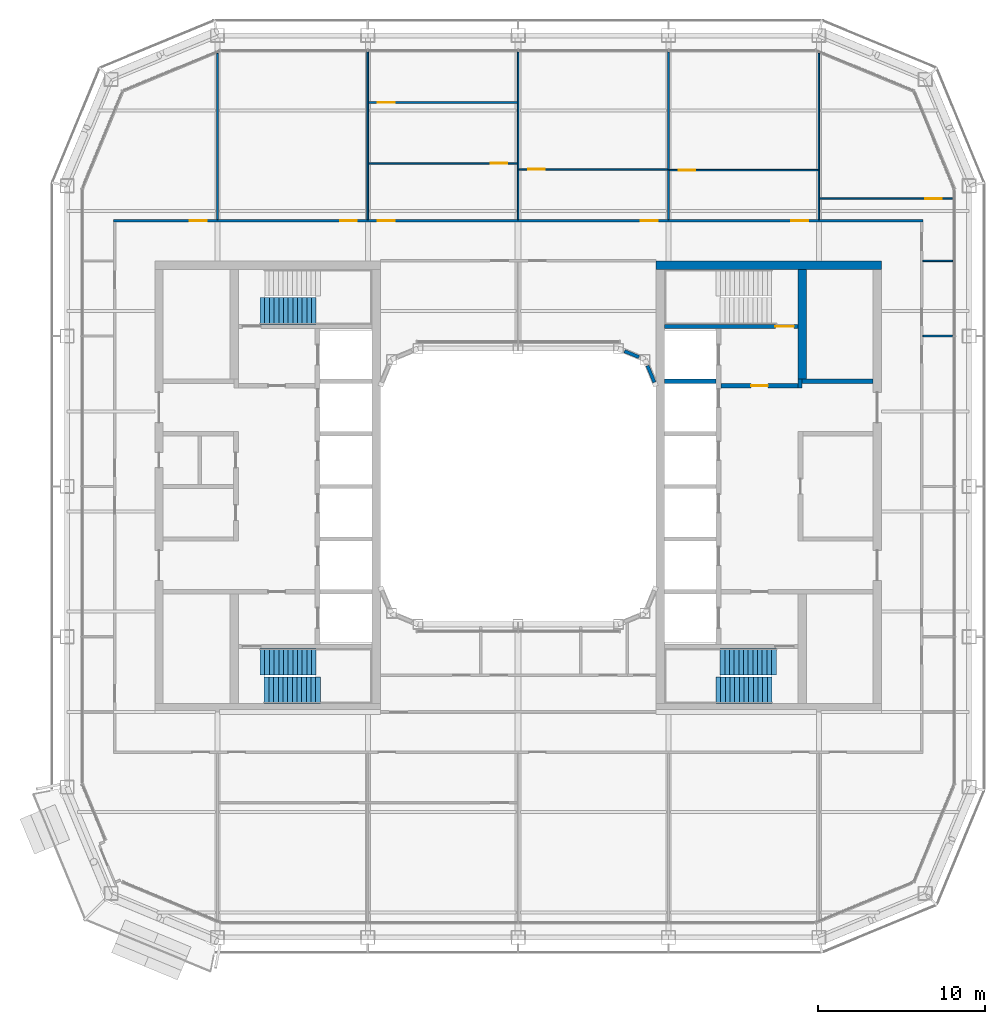
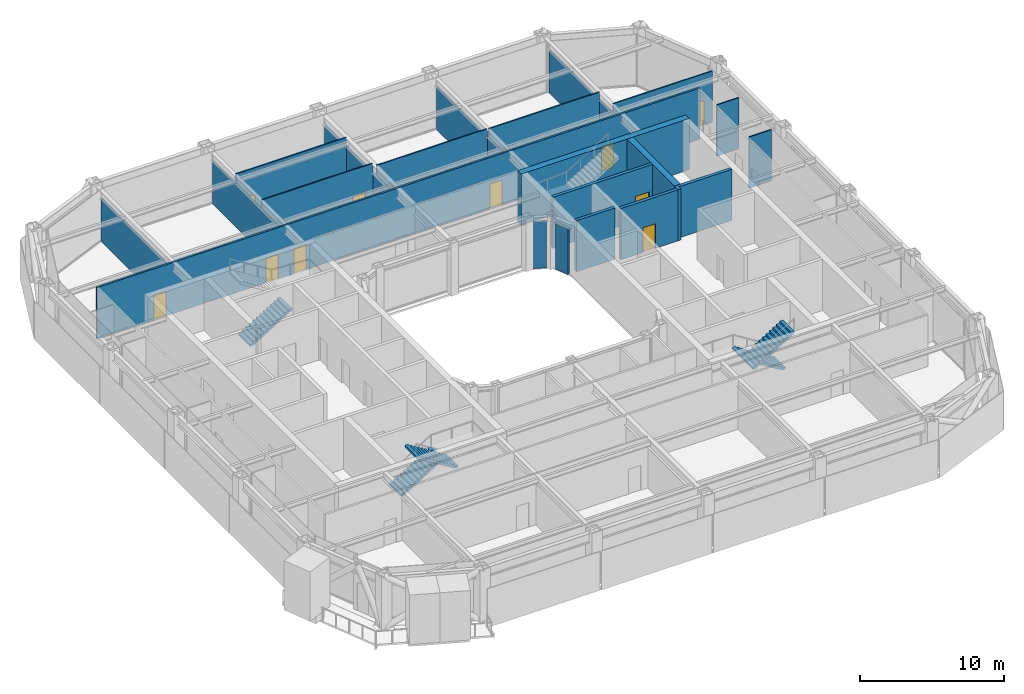
# One storey, part 16 of 24: 22 walls, 12 doors, 5 stair flights, 12 openings, 3 elements without a shape of their own.
"""IFC4 building model written with IfcOpenShell, lengths in metres."""

from ifc_helpers import new_model, si_unit, direction, frame, frame_2d, origin, place, context, subcontext, project, spatial, polyline, rectangle, outline, extrude, material, layer, layer_set, type_object, element, fill, aggregate, save


model = new_model("IFC4")

# Units and contexts
model_context = context("Model", 3, precision=1e-05, world=origin(), true_north=direction((0.0, 1.0)))
body_context = subcontext(model_context, "Body", "Model", "MODEL_VIEW")
ifc_project = project(units=[si_unit("LENGTHUNIT", "METRE"), si_unit("AREAUNIT", "SQUARE_METRE"), si_unit("VOLUMEUNIT", "CUBIC_METRE"), si_unit("PLANEANGLEUNIT", "RADIAN"), si_unit("MASSUNIT", "GRAM", prefix="KILO")], contexts=[model_context])

# Site, building, storey
site_placement = place(None, origin())
site = spatial("IfcSite", under=ifc_project, at=site_placement, CompositionType="ELEMENT")
building_placement = place(site_placement, origin())
building = spatial("IfcBuilding", under=site, at=building_placement, Name="Siwar Civic Tower", CompositionType="ELEMENT")
storey_placement = place(building_placement, frame((0.0, 0.0, 215.199951171875)))
storey = spatial("IfcBuildingStorey", under=building, at=storey_placement, Name="L46", CompositionType="ELEMENT", Elevation=215.199951171875)

# Wall, opening, door
ifc_material_1 = material(Name="Concrete C60/75", Category="concrete")
ifc_layer_1 = layer(ifc_material_1, 0.25)
ifc_layer_set_1 = layer_set([ifc_layer_1], Name="Concrete C60/75")
wall_type_1 = type_object("IfcWallType", Name="CORE-WALL-RC250", PredefinedType="SHEAR", material=ifc_layer_set_1)
wall_1_placement = place(storey_placement, frame((12.14990234375, 6.02490234375, 0.0), z_axis=(0.0, 0.0, 1.0), x_axis=(1.0, 0.0, 0.0)))
wall_1 = element("IfcWall", 1, at=wall_1_placement, inside=storey, type_object=wall_type_1, Name="Core wall E", PredefinedType="SHEAR", context=body_context, shape_type="SweptSolid", body=[
    extrude(rectangle(XDim=4.60009765625, YDim=0.25, at=frame_2d((2.300048828125, 0.0))), origin(), (0.0, 0.0, 1.0), 4.35009765625),
])
opening_1_placement = place(wall_1_placement, frame((1.800048828125, 0.0, 0.0)))
opening_1 = element("IfcOpeningElement", 2, at=opening_1_placement, cuts=wall_1, Name="Opening L46-CE01", PredefinedType="OPENING", context=body_context, shape_type="SweptSolid", body=[
    extrude(rectangle(XDim=1.0, YDim=2.10009765625, at=frame_2d((0.5, 1.050048828125))), frame((0.0, 0.135009765625, 0.0), z_axis=(0.0, -1.0, 0.0), x_axis=(1.0, 0.0, 0.0)), (0.0, 0.0, 1.0), 0.27001953125),
])
ifc_material_2 = material(Name="Steel door leaf", Category="steel")
door_type_1 = type_object("IfcDoorType", Name="CORE-DOOR-FD30S", OperationType="SINGLE_SWING_LEFT", PredefinedType="DOOR", material=ifc_material_2)
door_1_placement = place(opening_1_placement, origin())
door_1 = element("IfcDoor", 3, at=door_1_placement, inside=storey, type_object=door_type_1, Name="Firefighting lobby door L46-CE01", OperationType="SINGLE_SWING_RIGHT", OverallHeight=2.10009765625, OverallWidth=1.0, PredefinedType="DOOR", context=body_context, shape_type="SweptSolid", body=[
    extrude(rectangle(XDim=1.0, YDim=2.10009765625, at=frame_2d((0.5, 1.050048828125))), frame((0.0, 0.02490234375, 0.0), z_axis=(0.0, -1.0, 0.0), x_axis=(1.0, 0.0, 0.0)), (0.0, 0.0, 1.0), 0.050048828125),
])
fill(opening_1, door_1)

# Walls
wall_2_placement = place(storey_placement, frame((16.875, 5.89990234375, 0.0), z_axis=(0.0, 0.0, 1.0), x_axis=(0.0, 1.0, 0.0)))
element("IfcWall", 4, at=wall_2_placement, inside=storey, type_object=wall_type_1, Name="Core wall E", PredefinedType="SHEAR", context=body_context, shape_type="SweptSolid", body=[
    extrude(rectangle(XDim=0.525146484375, YDim=0.25, at=frame_2d((0.2626953125, 0.0))), origin(), (0.0, 0.0, 1.0), 4.35009765625),
])
wall_3_placement = place(storey_placement, frame((17.0, 6.300048828125, 0.0), z_axis=(0.0, 0.0, 1.0), x_axis=(1.0, 0.0, 0.0)))
element("IfcWall", 5, at=wall_3_placement, inside=storey, type_object=wall_type_1, Name="Core wall E", PredefinedType="SHEAR", context=body_context, shape_type="SweptSolid", body=[
    extrude(rectangle(XDim=4.25, YDim=0.25, at=frame_2d((2.125, 0.0))), origin(), (0.0, 0.0, 1.0), 4.35009765625),
])
wall_4_placement = place(storey_placement, frame((8.75, 6.300048828125, 0.0), z_axis=(0.0, 0.0, 1.0), x_axis=(1.0, 0.0, 0.0)))
element("IfcWall", 6, at=wall_4_placement, inside=storey, type_object=wall_type_1, Name="Core wall E", PredefinedType="SHEAR", context=body_context, shape_type="SweptSolid", body=[
    extrude(rectangle(XDim=3.10009765625, YDim=0.25, at=frame_2d((1.550048828125, 0.0))), origin(), (0.0, 0.0, 1.0), 4.35009765625),
])

# Wall, opening, door
wall_5_placement = place(storey_placement, frame((8.75, 9.574951171875, 0.0), z_axis=(0.0, 0.0, 1.0), x_axis=(1.0, 0.0, 0.0)))
wall_5 = element("IfcWall", 7, at=wall_5_placement, inside=storey, type_object=wall_type_1, Name="Core wall E", PredefinedType="SHEAR", context=body_context, shape_type="SweptSolid", body=[
    extrude(rectangle(XDim=8.0, YDim=0.25, at=frame_2d((4.0, 0.0))), origin(), (0.0, 0.0, 1.0), 4.35009765625),
])
opening_2_placement = place(wall_5_placement, frame((6.64990234375, 0.0, 0.0)))
opening_2 = element("IfcOpeningElement", 8, at=opening_2_placement, cuts=wall_5, Name="Opening L46-CE03", PredefinedType="OPENING", context=body_context, shape_type="SweptSolid", body=[
    extrude(rectangle(XDim=1.10009765625, YDim=2.10009765625, at=frame_2d((0.550048828125, 1.050048828125))), frame((0.0, 0.135009765625, 0.0), z_axis=(0.0, -1.0, 0.0), x_axis=(1.0, 0.0, 0.0)), (0.0, 0.0, 1.0), 0.27001953125),
])
ifc_material_3 = material(Name="Steel door leaf", Category="steel")
door_type_2 = type_object("IfcDoorType", Name="CORE-DOOR-FD60S", OperationType="SINGLE_SWING_LEFT", PredefinedType="DOOR", material=ifc_material_3)
door_2_placement = place(opening_2_placement, origin())
door_2 = element("IfcDoor", 9, at=door_2_placement, inside=storey, type_object=door_type_2, Name="Stair door L46-CE03", OperationType="SINGLE_SWING_LEFT", OverallHeight=2.10009765625, OverallWidth=1.10009765625, PredefinedType="DOOR", context=body_context, shape_type="SweptSolid", body=[
    extrude(rectangle(XDim=1.10009765625, YDim=2.10009765625, at=frame_2d((0.550048828125, 1.050048828125))), frame((0.0, 0.02490234375, 0.0), z_axis=(0.0, -1.0, 0.0), x_axis=(1.0, 0.0, 0.0)), (0.0, 0.0, 1.0), 0.050048828125),
])
fill(opening_2, door_2)

# Walls
ifc_material_4 = material(Name="Concrete C60/75", Category="concrete")
ifc_layer_2 = layer(ifc_material_4, 0.5)
ifc_layer_set_2 = layer_set([ifc_layer_2], Name="Concrete C60/75")
wall_type_2 = type_object("IfcWallType", Name="CORE-WALL-RC500", PredefinedType="SHEAR", material=ifc_layer_set_2)
wall_6_placement = place(storey_placement, frame((17.0, 6.425048828125, 0.0), z_axis=(0.0, 0.0, 1.0), x_axis=(0.0, 1.0, 0.0)))
element("IfcWall", 10, at=wall_6_placement, inside=storey, type_object=wall_type_2, Name="Core wall E", PredefinedType="SHEAR", context=body_context, shape_type="SweptSolid", body=[
    extrude(rectangle(XDim=6.574951171875, YDim=0.5, at=frame_2d((3.28759765625, 0.0))), origin(), (0.0, 0.0, 1.0), 4.35009765625),
])
wall_7_placement = place(storey_placement, frame((8.25, 13.25, 0.0), z_axis=(0.0, 0.0, 1.0), x_axis=(1.0, 0.0, 0.0)))
element("IfcWall", 11, at=wall_7_placement, inside=storey, type_object=wall_type_2, Name="Core wall E", PredefinedType="SHEAR", context=body_context, shape_type="SweptSolid", body=[
    extrude(rectangle(XDim=13.5, YDim=0.5, at=frame_2d((6.75, 0.0))), origin(), (0.0, 0.0, 1.0), 4.35009765625),
])

# Wall, openings, doors
ifc_material_5 = material(Name="Gypsum board on steel studs", Category="steel")
ifc_layer_3 = layer(ifc_material_5, 0.14990234375)
ifc_layer_set_3 = layer_set([ifc_layer_3], Name="Gypsum board on steel studs")
wall_type_3 = type_object("IfcWallType", Name="CORRIDOR PARTITION 150 EI 30", PredefinedType="PARTITIONING", material=ifc_layer_set_3)
wall_8_placement = place(storey_placement, frame((-24.22509765625, 15.89990234375, 0.0), z_axis=(0.0, 0.0, 1.0), x_axis=(1.0, 0.0, 0.0)))
wall_8 = element("IfcWall", 12, at=wall_8_placement, inside=storey, type_object=wall_type_3, Name="L46/wall/P17", PredefinedType="PARTITIONING", context=body_context, shape_type="SweptSolid", body=[
    extrude(rectangle(XDim=48.4501953125, YDim=0.14990234375, at=frame_2d((24.22509765625, 0.0))), origin(), (0.0, 0.0, 1.0), 4.35009765625),
])
opening_3_placement = place(wall_8_placement, frame((13.574951171875, 0.0, 0.0)))
opening_3 = element("IfcOpeningElement", 13, at=opening_3_placement, cuts=wall_8, Name="Opening D1", PredefinedType="OPENING", context=body_context, shape_type="SweptSolid", body=[
    extrude(rectangle(XDim=1.0, YDim=2.10009765625, at=frame_2d((0.5, 1.050048828125))), frame((0.0, 0.0849609375, 0.0), z_axis=(0.0, -1.0, 0.0), x_axis=(1.0, 0.0, 0.0)), (0.0, 0.0, 1.0), 0.169921875),
])
opening_4_placement = place(wall_8_placement, frame((15.824951171875, 0.0, 0.0)))
opening_4 = element("IfcOpeningElement", 14, at=opening_4_placement, cuts=wall_8, Name="Opening D1", PredefinedType="OPENING", context=body_context, shape_type="SweptSolid", body=[
    extrude(rectangle(XDim=1.0, YDim=2.10009765625, at=frame_2d((0.5, 1.050048828125))), frame((0.0, 0.0849609375, 0.0), z_axis=(0.0, -1.0, 0.0), x_axis=(1.0, 0.0, 0.0)), (0.0, 0.0, 1.0), 0.169921875),
])
opening_5_placement = place(wall_8_placement, frame((31.574951171875, 0.0, 0.0)))
opening_5 = element("IfcOpeningElement", 15, at=opening_5_placement, cuts=wall_8, Name="Opening D1", PredefinedType="OPENING", context=body_context, shape_type="SweptSolid", body=[
    extrude(rectangle(XDim=1.0, YDim=2.10009765625, at=frame_2d((0.5, 1.050048828125))), frame((0.0, 0.0849609375, 0.0), z_axis=(0.0, -1.0, 0.0), x_axis=(1.0, 0.0, 0.0)), (0.0, 0.0, 1.0), 0.169921875),
])
opening_6_placement = place(wall_8_placement, frame((40.574951171875, 0.0, 0.0)))
opening_6 = element("IfcOpeningElement", 16, at=opening_6_placement, cuts=wall_8, Name="Opening D1", PredefinedType="OPENING", context=body_context, shape_type="SweptSolid", body=[
    extrude(rectangle(XDim=1.0, YDim=2.10009765625, at=frame_2d((0.5, 1.050048828125))), frame((0.0, 0.0849609375, 0.0), z_axis=(0.0, -1.0, 0.0), x_axis=(1.0, 0.0, 0.0)), (0.0, 0.0, 1.0), 0.169921875),
])
opening_7_placement = place(wall_8_placement, frame((4.574951171875, 0.0, 0.0)))
opening_7 = element("IfcOpeningElement", 17, at=opening_7_placement, cuts=wall_8, Name="Opening D1", PredefinedType="OPENING", context=body_context, shape_type="SweptSolid", body=[
    extrude(rectangle(XDim=1.0, YDim=2.10009765625, at=frame_2d((0.5, 1.050048828125))), frame((0.0, 0.0849609375, 0.0), z_axis=(0.0, -1.0, 0.0), x_axis=(1.0, 0.0, 0.0)), (0.0, 0.0, 1.0), 0.169921875),
])
ifc_material_6 = material(Name="Timber, painted", Category="wood")
door_type_3 = type_object("IfcDoorType", Name="DOOR 1000 X 2100 FD30", OperationType="SINGLE_SWING_LEFT", PredefinedType="DOOR", material=ifc_material_6)
door_3_placement = place(opening_3_placement, origin())
door_3 = element("IfcDoor", 18, at=door_3_placement, inside=storey, type_object=door_type_3, Name="L46-D01", OperationType="SINGLE_SWING_LEFT", OverallHeight=2.10009765625, OverallWidth=1.0, PredefinedType="DOOR", context=body_context, shape_type="SweptSolid", body=[
    extrude(rectangle(XDim=1.0, YDim=2.10009765625, at=frame_2d((0.5, 1.050048828125))), frame((0.0, 0.02490234375, 0.0), z_axis=(0.0, -1.0, 0.0), x_axis=(1.0, 0.0, 0.0)), (0.0, 0.0, 1.0), 0.050048828125),
])
fill(opening_3, door_3)
door_4_placement = place(opening_4_placement, origin())
door_4 = element("IfcDoor", 19, at=door_4_placement, inside=storey, type_object=door_type_3, Name="L46-D02", OperationType="SINGLE_SWING_RIGHT", OverallHeight=2.10009765625, OverallWidth=1.0, PredefinedType="DOOR", context=body_context, shape_type="SweptSolid", body=[
    extrude(rectangle(XDim=1.0, YDim=2.10009765625, at=frame_2d((0.5, 1.050048828125))), frame((0.0, 0.02490234375, 0.0), z_axis=(0.0, -1.0, 0.0), x_axis=(1.0, 0.0, 0.0)), (0.0, 0.0, 1.0), 0.050048828125),
])
fill(opening_4, door_4)
door_5_placement = place(opening_5_placement, origin())
door_5 = element("IfcDoor", 20, at=door_5_placement, inside=storey, type_object=door_type_3, Name="L46-D05", OperationType="SINGLE_SWING_LEFT", OverallHeight=2.10009765625, OverallWidth=1.0, PredefinedType="DOOR", context=body_context, shape_type="SweptSolid", body=[
    extrude(rectangle(XDim=1.0, YDim=2.10009765625, at=frame_2d((0.5, 1.050048828125))), frame((0.0, 0.02490234375, 0.0), z_axis=(0.0, -1.0, 0.0), x_axis=(1.0, 0.0, 0.0)), (0.0, 0.0, 1.0), 0.050048828125),
])
fill(opening_5, door_5)
door_6_placement = place(opening_6_placement, origin())
door_6 = element("IfcDoor", 21, at=door_6_placement, inside=storey, type_object=door_type_3, Name="L46-D07", OperationType="SINGLE_SWING_LEFT", OverallHeight=2.10009765625, OverallWidth=1.0, PredefinedType="DOOR", context=body_context, shape_type="SweptSolid", body=[
    extrude(rectangle(XDim=1.0, YDim=2.10009765625, at=frame_2d((0.5, 1.050048828125))), frame((0.0, 0.02490234375, 0.0), z_axis=(0.0, -1.0, 0.0), x_axis=(1.0, 0.0, 0.0)), (0.0, 0.0, 1.0), 0.050048828125),
])
fill(opening_6, door_6)
door_7_placement = place(opening_7_placement, origin())
door_7 = element("IfcDoor", 22, at=door_7_placement, inside=storey, type_object=door_type_3, Name="L46-D15", OperationType="SINGLE_SWING_LEFT", OverallHeight=2.10009765625, OverallWidth=1.0, PredefinedType="DOOR", context=body_context, shape_type="SweptSolid", body=[
    extrude(rectangle(XDim=1.0, YDim=2.10009765625, at=frame_2d((0.5, 1.050048828125))), frame((0.0, 0.02490234375, 0.0), z_axis=(0.0, -1.0, 0.0), x_axis=(1.0, 0.0, 0.0)), (0.0, 0.0, 1.0), 0.050048828125),
])
fill(opening_7, door_7)

# Walls
ifc_material_7 = material(Name="Aluminium clad insulated panel", Category="aluminium")
ifc_layer_4 = layer(ifc_material_7, 0.199951171875)
ifc_layer_set_4 = layer_set([ifc_layer_4], Name="Aluminium clad insulated panel")
wall_type_4 = type_object("IfcWallType", Name="ENV-WALL-WELL", PredefinedType="STANDARD", material=ifc_layer_set_4)
wall_9_placement = place(storey_placement, frame((8.154296875, 6.23095703125, 0.0), z_axis=(0.0, 0.0, 1.0), x_axis=(-0.382704496366, 0.923870807235, 0.0)))
element("IfcWall", 23, at=wall_9_placement, inside=storey, type_object=wall_type_4, Name="Light well corner wall NE1", PredefinedType="STANDARD", context=body_context, shape_type="SweptSolid", body=[
    extrude(rectangle(XDim=1.080078125, YDim=0.199951171875, at=frame_2d((0.5400390625, 0.0))), origin(), (0.0, 0.0, 1.0), 3.91796875),
])
wall_10_placement = place(storey_placement, frame((7.228759765625, 7.740966796875, 0.0), z_axis=(0.0, 0.0, 1.0), x_axis=(-0.923829670615, 0.382803787458, 0.0)))
element("IfcWall", 24, at=wall_10_placement, inside=storey, type_object=wall_type_4, Name="Light well corner wall NE2", PredefinedType="STANDARD", context=body_context, shape_type="SweptSolid", body=[
    extrude(rectangle(XDim=0.938232421875, YDim=0.199951171875, at=frame_2d((0.46923828125, 0.0))), origin(), (0.0, 0.0, 1.0), 3.91796875),
])
ifc_material_8 = material(Name="Gypsum board on steel studs", Category="steel")
ifc_layer_5 = layer(ifc_material_8, 0.10009765625)
ifc_layer_set_5 = layer_set([ifc_layer_5], Name="Gypsum board on steel studs")
wall_type_5 = type_object("IfcWallType", Name="PARTITION 100 GYPSUM", PredefinedType="PARTITIONING", material=ifc_layer_set_5)
for number, where, z_axis, x_axis, name in (
    (25, (24.22509765625, 9.0, 0.0), (0.0, 0.0, 1.0), (1.0, 0.0, 0.0), "L46/wall/P13"),
    (26, (24.22509765625, 13.5, 0.0), (0.0, 0.0, 1.0), (1.0, 0.0, 0.0), "L46/wall/P15"),
):
    element("IfcWall", number, at=place(storey_placement, frame(where, z_axis=z_axis, x_axis=x_axis)), inside=storey, type_object=wall_type_5, Name=name, PredefinedType="PARTITIONING", context=body_context, shape_type="SweptSolid", body=[
        extrude(rectangle(XDim=1.784912109375, YDim=0.10009765625, at=frame_2d((0.892578125, 0.0))), origin(), (0.0, 0.0, 1.0), 4.35009765625),
    ])

# Wall, opening, door
wall_11_placement = place(storey_placement, frame((18.050048828125, 17.22802734375, 0.0), z_axis=(0.0, 0.0, 1.0), x_axis=(1.0, 0.0, 0.0)))
wall_11 = element("IfcWall", 27, at=wall_11_placement, inside=storey, type_object=wall_type_5, Name="L46/wall/P18", PredefinedType="PARTITIONING", context=body_context, shape_type="SweptSolid", body=[
    extrude(rectangle(XDim=7.9599609375, YDim=0.10009765625, at=frame_2d((3.97998046875, 0.0))), origin(), (0.0, 0.0, 1.0), 4.35009765625),
])
opening_8_placement = place(wall_11_placement, frame((6.31005859375, 0.0, 0.0)))
opening_8 = element("IfcOpeningElement", 28, at=opening_8_placement, cuts=wall_11, Name="Opening D2", PredefinedType="OPENING", context=body_context, shape_type="SweptSolid", body=[
    extrude(rectangle(XDim=1.0, YDim=2.10009765625, at=frame_2d((0.5, 1.050048828125))), frame((0.0, 0.06005859375, 0.0), z_axis=(0.0, -1.0, 0.0), x_axis=(1.0, 0.0, 0.0)), (0.0, 0.0, 1.0), 0.1201171875),
])
ifc_material_9 = material(Name="Timber, painted", Category="wood")
door_type_4 = type_object("IfcDoorType", Name="DOOR 1000 X 2100", OperationType="SINGLE_SWING_LEFT", PredefinedType="DOOR", material=ifc_material_9)
door_8_placement = place(opening_8_placement, origin())
door_8 = element("IfcDoor", 29, at=door_8_placement, inside=storey, type_object=door_type_4, Name="L46-D17", OperationType="SINGLE_SWING_LEFT", OverallHeight=2.10009765625, OverallWidth=1.0, PredefinedType="DOOR", context=body_context, shape_type="SweptSolid", body=[
    extrude(rectangle(XDim=1.0, YDim=2.10009765625, at=frame_2d((0.5, 1.050048828125))), frame((0.0, 0.02490234375, 0.0), z_axis=(0.0, -1.0, 0.0), x_axis=(1.0, 0.0, 0.0)), (0.0, 0.0, 1.0), 0.050048828125),
])
fill(opening_8, door_8)

wall_12_placement = place(storey_placement, frame((9.050048828125, 18.93310546875, 0.0), z_axis=(0.0, 0.0, 1.0), x_axis=(1.0, 0.0, 0.0)))
wall_12 = element("IfcWall", 30, at=wall_12_placement, inside=storey, type_object=wall_type_5, Name="L46/wall/P19", PredefinedType="PARTITIONING", context=body_context, shape_type="SweptSolid", body=[
    extrude(rectangle(XDim=8.89990234375, YDim=0.10009765625, at=frame_2d((4.449951171875, 0.0))), origin(), (0.0, 0.0, 1.0), 4.35009765625),
])
opening_9_placement = place(wall_12_placement, frame((0.550048828125, 0.0, 0.0)))
opening_9 = element("IfcOpeningElement", 31, at=opening_9_placement, cuts=wall_12, Name="Opening D2", PredefinedType="OPENING", context=body_context, shape_type="SweptSolid", body=[
    extrude(rectangle(XDim=1.0, YDim=2.10009765625, at=frame_2d((0.5, 1.050048828125))), frame((0.0, 0.06005859375, 0.0), z_axis=(0.0, -1.0, 0.0), x_axis=(1.0, 0.0, 0.0)), (0.0, 0.0, 1.0), 0.1201171875),
])
door_9_placement = place(opening_9_placement, origin())
door_9 = element("IfcDoor", 32, at=door_9_placement, inside=storey, type_object=door_type_4, Name="L46-D08", OperationType="SINGLE_SWING_RIGHT", OverallHeight=2.10009765625, OverallWidth=1.0, PredefinedType="DOOR", context=body_context, shape_type="SweptSolid", body=[
    extrude(rectangle(XDim=1.0, YDim=2.10009765625, at=frame_2d((0.5, 1.050048828125))), frame((0.0, 0.02490234375, 0.0), z_axis=(0.0, -1.0, 0.0), x_axis=(1.0, 0.0, 0.0)), (0.0, 0.0, 1.0), 0.050048828125),
])
fill(opening_9, door_9)

wall_13_placement = place(storey_placement, frame((0.050048828125, 18.97998046875, 0.0), z_axis=(0.0, 0.0, 1.0), x_axis=(1.0, 0.0, 0.0)))
wall_13 = element("IfcWall", 33, at=wall_13_placement, inside=storey, type_object=wall_type_5, Name="L46/wall/P20", PredefinedType="PARTITIONING", context=body_context, shape_type="SweptSolid", body=[
    extrude(rectangle(XDim=8.89990234375, YDim=0.10009765625, at=frame_2d((4.449951171875, 0.0))), origin(), (0.0, 0.0, 1.0), 4.35009765625),
])
opening_10_placement = place(wall_13_placement, frame((0.550048828125, 0.0, 0.0)))
opening_10 = element("IfcOpeningElement", 34, at=opening_10_placement, cuts=wall_13, Name="Opening D2", PredefinedType="OPENING", context=body_context, shape_type="SweptSolid", body=[
    extrude(rectangle(XDim=1.0, YDim=2.10009765625, at=frame_2d((0.5, 1.050048828125))), frame((0.0, 0.06005859375, 0.0), z_axis=(0.0, -1.0, 0.0), x_axis=(1.0, 0.0, 0.0)), (0.0, 0.0, 1.0), 0.1201171875),
])
door_10_placement = place(opening_10_placement, origin())
door_10 = element("IfcDoor", 35, at=door_10_placement, inside=storey, type_object=door_type_4, Name="L46-D06", OperationType="SINGLE_SWING_RIGHT", OverallHeight=2.10009765625, OverallWidth=1.0, PredefinedType="DOOR", context=body_context, shape_type="SweptSolid", body=[
    extrude(rectangle(XDim=1.0, YDim=2.10009765625, at=frame_2d((0.5, 1.050048828125))), frame((0.0, 0.02490234375, 0.0), z_axis=(0.0, -1.0, 0.0), x_axis=(1.0, 0.0, 0.0)), (0.0, 0.0, 1.0), 0.050048828125),
])
fill(opening_10, door_10)

wall_14_placement = place(storey_placement, frame((-8.949951171875, 19.3369140625, 0.0), z_axis=(0.0, 0.0, 1.0), x_axis=(1.0, 0.0, 0.0)))
wall_14 = element("IfcWall", 36, at=wall_14_placement, inside=storey, type_object=wall_type_5, Name="L46/wall/P21", PredefinedType="PARTITIONING", context=body_context, shape_type="SweptSolid", body=[
    extrude(rectangle(XDim=8.89990234375, YDim=0.10009765625, at=frame_2d((4.449951171875, 0.0))), origin(), (0.0, 0.0, 1.0), 4.35009765625),
])
opening_11_placement = place(wall_14_placement, frame((7.300048828125, 0.0, 0.0)))
opening_11 = element("IfcOpeningElement", 37, at=opening_11_placement, cuts=wall_14, Name="Opening D2", PredefinedType="OPENING", context=body_context, shape_type="SweptSolid", body=[
    extrude(rectangle(XDim=1.0, YDim=2.10009765625, at=frame_2d((0.5, 1.050048828125))), frame((0.0, 0.06005859375, 0.0), z_axis=(0.0, -1.0, 0.0), x_axis=(1.0, 0.0, 0.0)), (0.0, 0.0, 1.0), 0.1201171875),
])
door_11_placement = place(opening_11_placement, origin())
door_11 = element("IfcDoor", 38, at=door_11_placement, inside=storey, type_object=door_type_4, Name="L46-D03", OperationType="SINGLE_SWING_LEFT", OverallHeight=2.10009765625, OverallWidth=1.0, PredefinedType="DOOR", context=body_context, shape_type="SweptSolid", body=[
    extrude(rectangle(XDim=1.0, YDim=2.10009765625, at=frame_2d((0.5, 1.050048828125))), frame((0.0, 0.02490234375, 0.0), z_axis=(0.0, -1.0, 0.0), x_axis=(1.0, 0.0, 0.0)), (0.0, 0.0, 1.0), 0.050048828125),
])
fill(opening_11, door_11)

wall_15_placement = place(storey_placement, frame((-8.949951171875, 22.97705078125, 0.0), z_axis=(0.0, 0.0, 1.0), x_axis=(1.0, 0.0, 0.0)))
wall_15 = element("IfcWall", 39, at=wall_15_placement, inside=storey, type_object=wall_type_5, Name="L46/wall/P22", PredefinedType="PARTITIONING", context=body_context, shape_type="SweptSolid", body=[
    extrude(rectangle(XDim=8.89990234375, YDim=0.10009765625, at=frame_2d((4.449951171875, 0.0))), origin(), (0.0, 0.0, 1.0), 4.35009765625),
])
opening_12_placement = place(wall_15_placement, frame((0.550048828125, 0.0, 0.0)))
opening_12 = element("IfcOpeningElement", 40, at=opening_12_placement, cuts=wall_15, Name="Opening D2", PredefinedType="OPENING", context=body_context, shape_type="SweptSolid", body=[
    extrude(rectangle(XDim=1.0, YDim=2.10009765625, at=frame_2d((0.5, 1.050048828125))), frame((0.0, 0.06005859375, 0.0), z_axis=(0.0, -1.0, 0.0), x_axis=(1.0, 0.0, 0.0)), (0.0, 0.0, 1.0), 0.1201171875),
])
door_12_placement = place(opening_12_placement, origin())
door_12 = element("IfcDoor", 41, at=door_12_placement, inside=storey, type_object=door_type_4, Name="L46-D04", OperationType="SINGLE_SWING_RIGHT", OverallHeight=2.10009765625, OverallWidth=1.0, PredefinedType="DOOR", context=body_context, shape_type="SweptSolid", body=[
    extrude(rectangle(XDim=1.0, YDim=2.10009765625, at=frame_2d((0.5, 1.050048828125))), frame((0.0, 0.02490234375, 0.0), z_axis=(0.0, -1.0, 0.0), x_axis=(1.0, 0.0, 0.0)), (0.0, 0.0, 1.0), 0.050048828125),
])
fill(opening_12, door_12)

# Walls
wall_16_placement = place(storey_placement, frame((-18.0, 15.97509765625, 0.0), z_axis=(0.0, 0.0, 1.0), x_axis=(0.0, 1.0, 0.0)))
element("IfcWall", 42, at=wall_16_placement, inside=storey, type_object=wall_type_5, Name="L46/wall/P25", PredefinedType="PARTITIONING", context=body_context, shape_type="SweptSolid", body=[
    extrude(rectangle(XDim=9.952880859375, YDim=0.10009765625, at=frame_2d((4.9765625, 0.0))), origin(), (0.0, 0.0, 1.0), 3.650146484375),
])
wall_17_placement = place(storey_placement, frame((-9.0, 15.97509765625, 0.0), z_axis=(0.0, 0.0, 1.0), x_axis=(0.0, 1.0, 0.0)))
element("IfcWall", 43, at=wall_17_placement, inside=storey, type_object=wall_type_5, Name="L46/wall/P28", PredefinedType="PARTITIONING", context=body_context, shape_type="SweptSolid", body=[
    extrude(rectangle(XDim=10.034912109375, YDim=0.10009765625, at=frame_2d((5.017578125, 0.0))), origin(), (0.0, 0.0, 1.0), 3.650146484375),
])
wall_18_placement = place(storey_placement, frame((0.0, 15.97509765625, 0.0), z_axis=(0.0, 0.0, 1.0), x_axis=(0.0, 1.0, 0.0)))
element("IfcWall", 44, at=wall_18_placement, inside=storey, type_object=wall_type_5, Name="L46/wall/P32", PredefinedType="PARTITIONING", context=body_context, shape_type="SweptSolid", body=[
    extrude(rectangle(XDim=10.034912109375, YDim=0.10009765625, at=frame_2d((5.017578125, 0.0))), origin(), (0.0, 0.0, 1.0), 3.550048828125),
])
wall_19_placement = place(storey_placement, frame((9.0, 15.97509765625, 0.0), z_axis=(0.0, 0.0, 1.0), x_axis=(0.0, 1.0, 0.0)))
element("IfcWall", 45, at=wall_19_placement, inside=storey, type_object=wall_type_5, Name="L46/wall/P36", PredefinedType="PARTITIONING", context=body_context, shape_type="SweptSolid", body=[
    extrude(rectangle(XDim=10.034912109375, YDim=0.10009765625, at=frame_2d((5.017578125, 0.0))), origin(), (0.0, 0.0, 1.0), 3.650146484375),
])
wall_20_placement = place(storey_placement, frame((18.0, 15.97509765625, 0.0), z_axis=(0.0, 0.0, 1.0), x_axis=(0.0, 1.0, 0.0)))
element("IfcWall", 46, at=wall_20_placement, inside=storey, type_object=wall_type_5, Name="L46/wall/P38", PredefinedType="PARTITIONING", context=body_context, shape_type="SweptSolid", body=[
    extrude(rectangle(XDim=9.952880859375, YDim=0.10009765625, at=frame_2d((4.9765625, 0.0))), origin(), (0.0, 0.0, 1.0), 3.650146484375),
])

# Stair, stair flight
ifc_material_10 = material(Name="Concrete C40/50", Category="concrete")
stair_type = type_object("IfcStairType", Name="CORE-STAIR", PredefinedType="TWO_STRAIGHT_RUN_STAIR", material=ifc_material_10)
stair_1_placement = place(storey_placement, origin())
stair_1 = element("IfcStair", 47, at=stair_1_placement, inside=storey, type_object=stair_type, Name="Exit stair ST1", PredefinedType="TWO_STRAIGHT_RUN_STAIR")
ifc_material_11 = material(Name="Concrete C40/50", Category="concrete")
stair_flight_type = type_object("IfcStairFlightType", Name="CORE-STAIR-FLIGHT", PredefinedType="STRAIGHT", material=ifc_material_11)
stair_flight_1_placement = place(storey_placement, frame((-15.449951171875, 10.5, 0.0), z_axis=(0.0, 0.0, 1.0), x_axis=(1.0, 0.0, 0.0)))
stair_flight_1 = element("IfcStairFlight", 48, at=stair_flight_1_placement, type_object=stair_flight_type, Name="ST1 flight 1", NumberOfRisers=13, NumberOfTreads=12, PredefinedType="STRAIGHT", RiserHeight=0.173076923, TreadLength=0.28, context=body_context, shape_type="SweptSolid", body=[
    extrude(outline(polyline([(0.0, 0.0), (0.0, 0.173095703125), (0.280029296875, 0.173095703125), (0.280029296875, 0.34619140625), (0.56005859375, 0.34619140625), (0.56005859375, 0.519287109375), (0.840087890625, 0.519287109375), (0.840087890625, 0.6923828125), (1.1201171875, 0.6923828125), (1.1201171875, 0.865478515625), (1.39990234375, 0.865478515625), (1.39990234375, 1.03857421875), (1.679931640625, 1.03857421875), (1.679931640625, 1.21142578125), (1.9599609375, 1.21142578125), (1.9599609375, 1.384521484375), (2.239990234375, 1.384521484375), (2.239990234375, 1.5576171875), (2.52001953125, 1.5576171875), (2.52001953125, 1.730712890625), (2.800048828125, 1.730712890625), (2.800048828125, 1.90380859375), (3.080078125, 1.90380859375), (3.080078125, 2.076904296875), (3.360107421875, 2.076904296875), (3.360107421875, 2.25), (3.360107421875, 1.900634765625), (0.28515625, 0.0), (0.0, 0.0)])), frame((0.0, 0.800048828125, 0.0), z_axis=(0.0, -1.0, 0.0), x_axis=(1.0, 0.0, 0.0)), (0.0, 0.0, 1.0), 1.60009765625),
])
aggregate(stair_1, [stair_flight_1])

# Stair, stair flights
stair_2_placement = place(storey_placement, origin())
stair_2 = element("IfcStair", 49, at=stair_2_placement, inside=storey, type_object=stair_type, Name="Exit stair ST2", PredefinedType="TWO_STRAIGHT_RUN_STAIR")
stair_flight_2_placement = place(storey_placement, frame((-15.449951171875, -10.5, 0.0), z_axis=(0.0, 0.0, 1.0), x_axis=(1.0, 0.0, 0.0)))
stair_flight_2 = element("IfcStairFlight", 50, at=stair_flight_2_placement, type_object=stair_flight_type, Name="ST2 flight 1", NumberOfRisers=13, NumberOfTreads=12, PredefinedType="STRAIGHT", RiserHeight=0.173076923, TreadLength=0.28, context=body_context, shape_type="SweptSolid", body=[
    extrude(outline(polyline([(0.0, 0.0), (0.0, 0.173095703125), (0.280029296875, 0.173095703125), (0.280029296875, 0.34619140625), (0.56005859375, 0.34619140625), (0.56005859375, 0.519287109375), (0.840087890625, 0.519287109375), (0.840087890625, 0.6923828125), (1.1201171875, 0.6923828125), (1.1201171875, 0.865478515625), (1.39990234375, 0.865478515625), (1.39990234375, 1.03857421875), (1.679931640625, 1.03857421875), (1.679931640625, 1.21142578125), (1.9599609375, 1.21142578125), (1.9599609375, 1.384521484375), (2.239990234375, 1.384521484375), (2.239990234375, 1.5576171875), (2.52001953125, 1.5576171875), (2.52001953125, 1.730712890625), (2.800048828125, 1.730712890625), (2.800048828125, 1.90380859375), (3.080078125, 1.90380859375), (3.080078125, 2.076904296875), (3.360107421875, 2.076904296875), (3.360107421875, 2.25), (3.360107421875, 1.900634765625), (0.28515625, 0.0), (0.0, 0.0)])), frame((0.0, 0.800048828125, 0.0), z_axis=(0.0, -1.0, 0.0), x_axis=(1.0, 0.0, 0.0)), (0.0, 0.0, 1.0), 1.60009765625),
])
stair_flight_3_placement = place(storey_placement, frame((-11.840087890625, -12.199951171875, 2.25), z_axis=(0.0, 0.0, 1.0), x_axis=(-1.0, 0.0, 0.0)))
stair_flight_3 = element("IfcStairFlight", 51, at=stair_flight_3_placement, type_object=stair_flight_type, Name="ST2 flight 2", NumberOfRisers=13, NumberOfTreads=12, PredefinedType="STRAIGHT", RiserHeight=0.173076923, TreadLength=0.28, context=body_context, shape_type="SweptSolid", body=[
    extrude(outline(polyline([(0.0, 0.0), (0.0, 0.173095703125), (0.280029296875, 0.173095703125), (0.280029296875, 0.34619140625), (0.56005859375, 0.34619140625), (0.56005859375, 0.519287109375), (0.840087890625, 0.519287109375), (0.840087890625, 0.6923828125), (1.1201171875, 0.6923828125), (1.1201171875, 0.865478515625), (1.39990234375, 0.865478515625), (1.39990234375, 1.03857421875), (1.679931640625, 1.03857421875), (1.679931640625, 1.21142578125), (1.9599609375, 1.21142578125), (1.9599609375, 1.384521484375), (2.239990234375, 1.384521484375), (2.239990234375, 1.5576171875), (2.52001953125, 1.5576171875), (2.52001953125, 1.730712890625), (2.800048828125, 1.730712890625), (2.800048828125, 1.90380859375), (3.080078125, 1.90380859375), (3.080078125, 2.076904296875), (3.360107421875, 2.076904296875), (3.360107421875, 2.25), (3.360107421875, 1.900634765625), (0.28515625, 0.0), (0.0, 0.0)])), frame((0.0, 0.800048828125, 0.0), z_axis=(0.0, -1.0, 0.0), x_axis=(1.0, 0.0, 0.0)), (0.0, 0.0, 1.0), 1.60009765625),
])
aggregate(stair_2, [stair_flight_2, stair_flight_3])

stair_3_placement = place(storey_placement, origin())
stair_3 = element("IfcStair", 52, at=stair_3_placement, inside=storey, type_object=stair_type, Name="Exit stair ST4", PredefinedType="TWO_STRAIGHT_RUN_STAIR")
stair_flight_4_placement = place(storey_placement, frame((15.449951171875, -10.5, 0.0), z_axis=(0.0, 0.0, 1.0), x_axis=(-1.0, 0.0, 0.0)))
stair_flight_4 = element("IfcStairFlight", 53, at=stair_flight_4_placement, type_object=stair_flight_type, Name="ST4 flight 1", NumberOfRisers=13, NumberOfTreads=12, PredefinedType="STRAIGHT", RiserHeight=0.173076923, TreadLength=0.28, context=body_context, shape_type="SweptSolid", body=[
    extrude(outline(polyline([(0.0, 0.0), (0.0, 0.173095703125), (0.280029296875, 0.173095703125), (0.280029296875, 0.34619140625), (0.56005859375, 0.34619140625), (0.56005859375, 0.519287109375), (0.840087890625, 0.519287109375), (0.840087890625, 0.6923828125), (1.1201171875, 0.6923828125), (1.1201171875, 0.865478515625), (1.39990234375, 0.865478515625), (1.39990234375, 1.03857421875), (1.679931640625, 1.03857421875), (1.679931640625, 1.21142578125), (1.9599609375, 1.21142578125), (1.9599609375, 1.384521484375), (2.239990234375, 1.384521484375), (2.239990234375, 1.5576171875), (2.52001953125, 1.5576171875), (2.52001953125, 1.730712890625), (2.800048828125, 1.730712890625), (2.800048828125, 1.90380859375), (3.080078125, 1.90380859375), (3.080078125, 2.076904296875), (3.360107421875, 2.076904296875), (3.360107421875, 2.25), (3.360107421875, 1.900634765625), (0.28515625, 0.0), (0.0, 0.0)])), frame((0.0, 0.800048828125, 0.0), z_axis=(0.0, -1.0, 0.0), x_axis=(1.0, 0.0, 0.0)), (0.0, 0.0, 1.0), 1.60009765625),
])
stair_flight_5_placement = place(storey_placement, frame((11.840087890625, -12.199951171875, 2.25), z_axis=(0.0, 0.0, 1.0), x_axis=(1.0, 0.0, 0.0)))
stair_flight_5 = element("IfcStairFlight", 54, at=stair_flight_5_placement, type_object=stair_flight_type, Name="ST4 flight 2", NumberOfRisers=13, NumberOfTreads=12, PredefinedType="STRAIGHT", RiserHeight=0.173076923, TreadLength=0.28, context=body_context, shape_type="SweptSolid", body=[
    extrude(outline(polyline([(0.0, 0.0), (0.0, 0.173095703125), (0.280029296875, 0.173095703125), (0.280029296875, 0.34619140625), (0.56005859375, 0.34619140625), (0.56005859375, 0.519287109375), (0.840087890625, 0.519287109375), (0.840087890625, 0.6923828125), (1.1201171875, 0.6923828125), (1.1201171875, 0.865478515625), (1.39990234375, 0.865478515625), (1.39990234375, 1.03857421875), (1.679931640625, 1.03857421875), (1.679931640625, 1.21142578125), (1.9599609375, 1.21142578125), (1.9599609375, 1.384521484375), (2.239990234375, 1.384521484375), (2.239990234375, 1.5576171875), (2.52001953125, 1.5576171875), (2.52001953125, 1.730712890625), (2.800048828125, 1.730712890625), (2.800048828125, 1.90380859375), (3.080078125, 1.90380859375), (3.080078125, 2.076904296875), (3.360107421875, 2.076904296875), (3.360107421875, 2.25), (3.360107421875, 1.900634765625), (0.28515625, 0.0), (0.0, 0.0)])), frame((0.0, 0.800048828125, 0.0), z_axis=(0.0, -1.0, 0.0), x_axis=(1.0, 0.0, 0.0)), (0.0, 0.0, 1.0), 1.60009765625),
])
aggregate(stair_3, [stair_flight_4, stair_flight_5])

save(model, "model.ifc")
